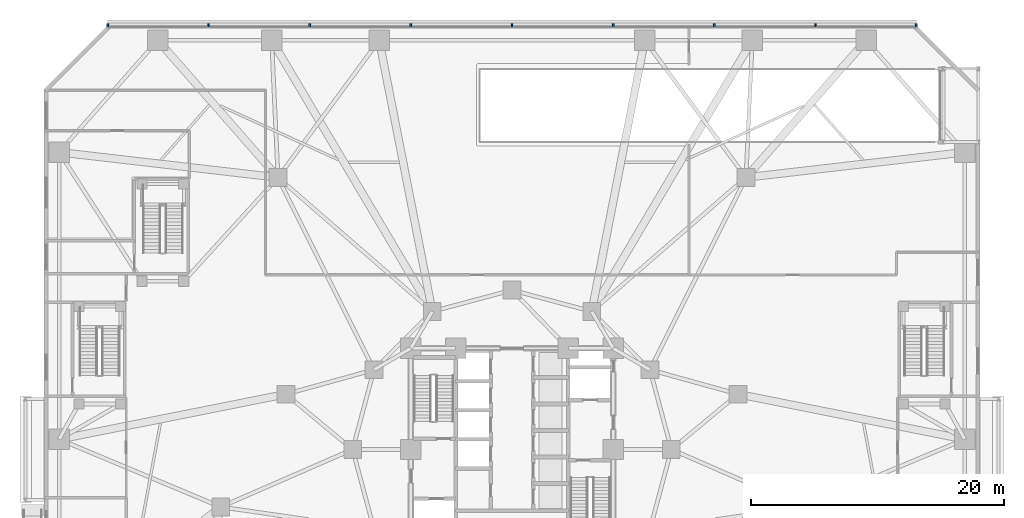
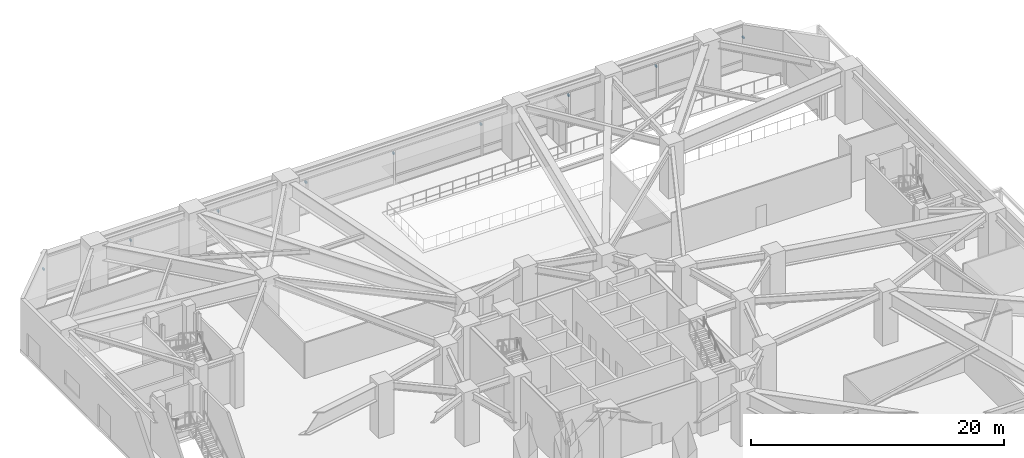
# One storey, part 22 of 30: 9 discrete accessories.
"""IFC4 building model written with IfcOpenShell, lengths in metres."""

from ifc_helpers import new_model, si_unit, direction, frame, origin, origin_2d, place, context, subcontext, project, spatial, rectangle, extrude, material, type_object, element, save


model = new_model("IFC4")

# Units and contexts
model_context = context("Model", 3, precision=1e-05, world=origin(), true_north=direction((0.0, 1.0)))
body_context = subcontext(model_context, "Body", "Model", "MODEL_VIEW")
ifc_project = project(units=[si_unit("LENGTHUNIT", "METRE"), si_unit("AREAUNIT", "SQUARE_METRE"), si_unit("VOLUMEUNIT", "CUBIC_METRE"), si_unit("PLANEANGLEUNIT", "RADIAN"), si_unit("MASSUNIT", "GRAM", prefix="KILO")], contexts=[model_context])

# Site, building, storey
site_placement = place(None, origin())
site = spatial("IfcSite", under=ifc_project, at=site_placement, CompositionType="ELEMENT")
building_placement = place(site_placement, origin())
building = spatial("IfcBuilding", under=site, at=building_placement, Name="Terralouvre Media Tower", CompositionType="ELEMENT")
storey_placement = place(building_placement, origin())
storey = spatial("IfcBuildingStorey", under=building, at=storey_placement, Name="L00", CompositionType="ELEMENT", Elevation=0.0)

# Discrete accessories
ifc_material = material(Name="Anodised extruded aluminium 6063-T6", Category="aluminium")
discrete_accessory_type = type_object("IfcDiscreteAccessoryType", Name="Mullion Stand-Off Baguette Fixing Bracket BK-01", PredefinedType="BRACKET", material=ifc_material)
for number, where, z_axis, x_axis, name in (
    (1, (31.96240234375, 33.52001953125, 2.87451171875), (0.0, 0.0, 1.0), (-1.0, 0.0, 0.0), "CW-L00-F4 Baguette Outrigger Bracket 1.01"),
    (2, (24.0, 33.52001953125, 2.87451171875), (0.0, 0.0, 1.0), (-1.0, 0.0, 0.0), "CW-L00-F4 Baguette Outrigger Bracket 1.02"),
    (3, (16.0, 33.52001953125, 2.87451171875), (0.0, 0.0, 1.0), (-1.0, 0.0, 0.0), "CW-L00-F4 Baguette Outrigger Bracket 1.03"),
    (4, (8.0, 33.52001953125, 2.87451171875), (0.0, 0.0, 1.0), (-1.0, 0.0, 0.0), "CW-L00-F4 Baguette Outrigger Bracket 1.04"),
    (5, (0.0, 33.52001953125, 2.87451171875), (0.0, 0.0, 1.0), (-1.0, 0.0, 0.0), "CW-L00-F4 Baguette Outrigger Bracket 1.05"),
    (6, (-8.0, 33.52001953125, 2.87451171875), (0.0, 0.0, 1.0), (-1.0, 0.0, 0.0), "CW-L00-F4 Baguette Outrigger Bracket 1.06"),
    (7, (-16.0, 33.52001953125, 2.87451171875), (0.0, 0.0, 1.0), (-1.0, 0.0, 0.0), "CW-L00-F4 Baguette Outrigger Bracket 1.07"),
    (8, (-24.0, 33.52001953125, 2.87451171875), (0.0, 0.0, 1.0), (-1.0, 0.0, 0.0), "CW-L00-F4 Baguette Outrigger Bracket 1.08"),
    (9, (-31.96240234375, 33.52001953125, 2.87451171875), (0.0, 0.0, 1.0), (-1.0, 0.0, 0.0), "CW-L00-F4 Baguette Outrigger Bracket 1.09"),
):
    element("IfcDiscreteAccessory", number, at=place(storey_placement, frame(where, z_axis=z_axis, x_axis=x_axis)), inside=storey, type_object=discrete_accessory_type, Name=name, PredefinedType="BRACKET", context=body_context, shape_type="SweptSolid", body=[
        extrude(rectangle(XDim=0.139892578125, YDim=0.239990234375, at=origin_2d()), origin(), (0.0, 0.0, 1.0), 0.179931640625),
    ])

save(model, "model.ifc")
